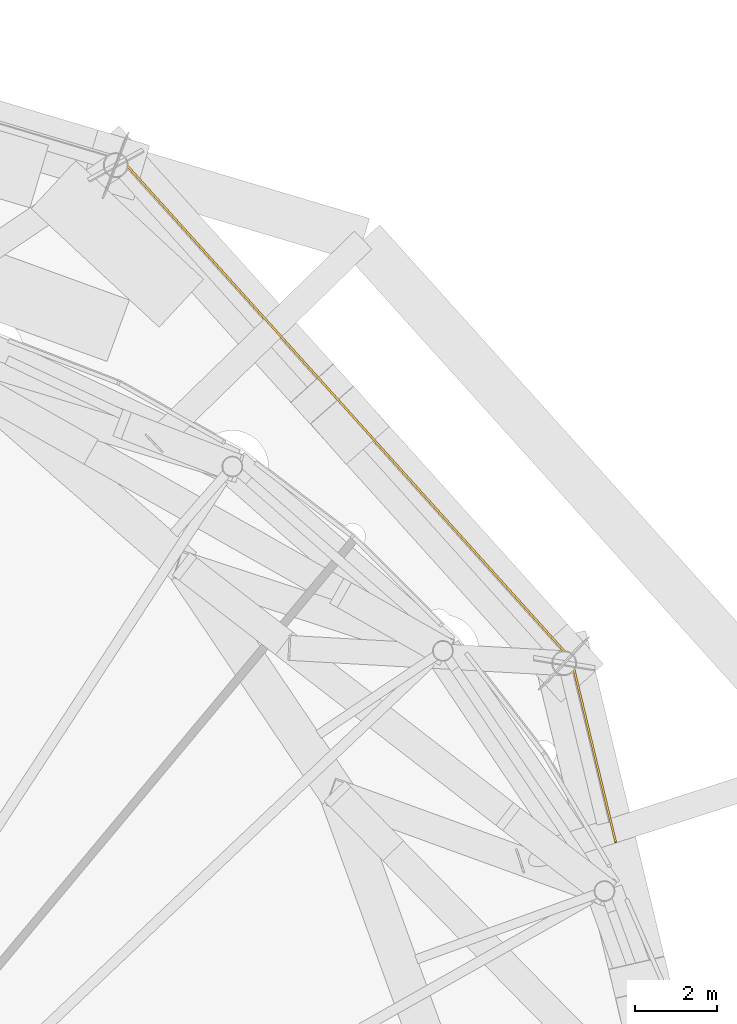
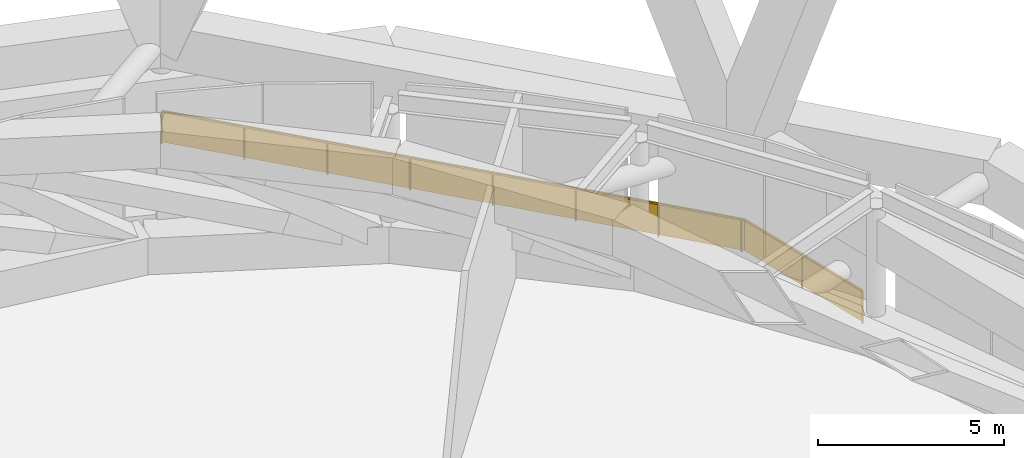
# One storey, part 59 of 60: 1 railing.
"""IFC4 building model written with IfcOpenShell, lengths in metres."""

import ifcopenshell
import ifcopenshell.guid

model = None  # the IFC model being written
_history = None  # IfcOwnerHistory: only IFC2X3 demands one
_inside = {}  # id of a spatial element -> (the spatial element, [elements in it])
_under = {}  # id of a project, library or spatial element -> (it, [spatial elements below it])
_declared = {}  # id of a project -> (the project, [libraries it declares])
_typed = {}  # id of a type object -> (the type object, [elements of that type])
_made_of = {}  # id of a material, layer set ... -> (it, [elements and type objects made of it])


def new_model(schema):
    """Start an empty IFC model of exactly this schema.

    Asked for "IFC4X3", IfcOpenShell would pick the latest addendum, in which some entities
    have other attributes; the version numbers below select the first issue.
    IFC2X3 requires an IfcOwnerHistory on every rooted entity: one is made here for all.
    """
    global model, _history
    if schema == "IFC4X3":
        model = ifcopenshell.file(schema_version=(4, 3, 0, 0))
    else:
        model = ifcopenshell.file(schema=schema)
    _inside.clear()
    _under.clear()
    _declared.clear()
    _typed.clear()
    _made_of.clear()
    _history = None
    if model.schema == "IFC2X3":
        org = make("IfcOrganization", Name="unknown")
        user = make(
            "IfcPersonAndOrganization",
            ThePerson=make("IfcPerson", FamilyName="unknown"),
            TheOrganization=org,
        )
        app = make(
            "IfcApplication",
            ApplicationDeveloper=org,
            Version="unknown",
            ApplicationFullName="unknown",
            ApplicationIdentifier="unknown",
        )
        _history = make(
            "IfcOwnerHistory",
            OwningUser=user,
            OwningApplication=app,
            ChangeAction="ADDED",
            CreationDate=0,
        )
    return model


def make(cls, **values):
    """One entity of the class cls with the attributes given. An attribute that is None is left unset."""
    return model.create_entity(
        cls, **{name: value for name, value in values.items() if value is not None}
    )


def rooted(cls, **values):
    """An entity with a GlobalId (a new one), such as an element, a storey or a relation."""
    return make(cls, GlobalId=ifcopenshell.guid.new(), OwnerHistory=_history, **values)


def si_unit(unit_type, name, prefix=None):
    """IfcSIUnit, for example si_unit("LENGTHUNIT", "METRE", prefix="MILLI")."""
    return make("IfcSIUnit", UnitType=unit_type, Prefix=prefix, Name=name)


def assignment(units):
    """IfcUnitAssignment: the units of a project."""
    return None if units is None else make("IfcUnitAssignment", Units=units)


def point(xyz):
    """IfcCartesianPoint."""
    return None if xyz is None else make("IfcCartesianPoint", Coordinates=xyz)


def direction(xyz):
    """IfcDirection."""
    return None if xyz is None else make("IfcDirection", DirectionRatios=xyz)


def frame(location, z_axis=None, x_axis=None):
    """IfcAxis2Placement3D, a coordinate frame: its origin and axes. An axis left out is left unset."""
    return make(
        "IfcAxis2Placement3D",
        Location=point(location),
        Axis=direction(z_axis),
        RefDirection=direction(x_axis),
    )


def frame_2d(location, x_axis=None):
    """IfcAxis2Placement2D, a coordinate frame in the plane: its origin and x axis."""
    return make(
        "IfcAxis2Placement2D", Location=point(location), RefDirection=direction(x_axis)
    )


def origin():
    """The frame at (0, 0, 0) with its axes left unset."""
    return frame((0.0, 0.0, 0.0))


def origin_2d():
    """The frame at (0, 0) in the plane with its x axis left unset."""
    return frame_2d((0.0, 0.0))


def place(relative_to, where):
    """IfcLocalPlacement: puts the frame where relative to a parent placement (None: the world)."""
    return make(
        "IfcLocalPlacement", PlacementRelTo=relative_to, RelativePlacement=where
    )


def context(
    kind, dimensions, precision=None, world=None, true_north=None, identifier=None
):
    """IfcGeometricRepresentationContext, for example the 3D "Model" context."""
    return make(
        "IfcGeometricRepresentationContext",
        ContextIdentifier=identifier,
        ContextType=kind,
        CoordinateSpaceDimension=dimensions,
        Precision=precision,
        WorldCoordinateSystem=world,
        TrueNorth=true_north,
    )


def subcontext(parent, identifier, kind, view, scale=None):
    """IfcGeometricRepresentationSubContext, for example "Body" below "Model"."""
    return make(
        "IfcGeometricRepresentationSubContext",
        ContextIdentifier=identifier,
        ContextType=kind,
        ParentContext=parent,
        TargetScale=scale,
        TargetView=view,
    )


def project(units=None, contexts=None):
    """IfcProject with its units and contexts."""
    return rooted(
        "IfcProject",
        Name="project",
        RepresentationContexts=contexts,
        UnitsInContext=assignment(units),
    )


def spatial(cls, under=None, at=None, **own):
    """A site, building, storey or space (cls), placed at a placement, below another one or the project."""
    s = rooted(cls, ObjectPlacement=at, **own)
    if under is not None:
        _under.setdefault(under.id(), (under, []))[1].append(s)
    return s


def polyline(points):
    """IfcPolyline through the points."""
    return make("IfcPolyline", Points=[point(p) for p in points])


def profile(cls, at=None, kind="AREA", **sizes):
    """A parametric profile (cls). Its sizes go by their IFC names, for example OverallWidth=200.0."""
    return make(cls, ProfileType=kind, Position=at, **sizes)


def rectangle(**sizes):
    """IfcRectangleProfileDef."""
    return profile("IfcRectangleProfileDef", **sizes)


def outline(outer, holes=None, kind="AREA"):
    """IfcArbitraryClosedProfileDef: a profile drawn as a closed curve; with holes, ...WithVoids."""
    if holes is None:
        return make("IfcArbitraryClosedProfileDef", ProfileType=kind, OuterCurve=outer)
    return make(
        "IfcArbitraryProfileDefWithVoids",
        ProfileType=kind,
        OuterCurve=outer,
        InnerCurves=holes,
    )


def extrude(swept, where, along, depth):
    """IfcExtrudedAreaSolid: the profile swept, set in the frame where, extruded along a direction by depth."""
    return make(
        "IfcExtrudedAreaSolid",
        SweptArea=swept,
        Position=where,
        ExtrudedDirection=direction(along),
        Depth=depth,
    )


def shape(context_of_items, identifier, shape_type, items):
    """IfcShapeRepresentation: the items that make up one representation, for example the "Body"."""
    return make(
        "IfcShapeRepresentation",
        ContextOfItems=context_of_items,
        RepresentationIdentifier=identifier,
        RepresentationType=shape_type,
        Items=items,
    )


def material(Name=None, Category=None):
    """IfcMaterial."""
    return make("IfcMaterial", Name=Name, Category=Category)


def made_of(thing, what):
    """Note that an element or type object is made of a material, layer set ...; save() writes the relation."""
    if what is not None:
        _made_of.setdefault(what.id(), (what, []))[1].append(thing)
    return thing


def type_object(cls, material=None, **own):
    """A type object (cls), such as IfcWallType, which elements share."""
    return made_of(rooted(cls, **own), material)


def element(
    cls,
    number,
    at=None,
    inside=None,
    cuts=None,
    type_object=None,
    material=None,
    context=None,
    identifier="Body",
    shape_type=None,
    held_by="IfcProductDefinitionShape",
    body=None,
    shapes=None,
    **own,
):
    """One element of the class cls, such as IfcWall. Its Tag is "e" and its number.

    at: its placement. inside: the storey or other place that contains it. cuts: it is an
    opening in that element (IfcRelVoidsElement). A single representation is given by context,
    identifier, shape_type and body (its items); several are given by shapes. held_by: the class
    of the entity that holds the representations. save() writes the other relations.
    """
    e = rooted(cls, Tag="e%d" % number, ObjectPlacement=at, **own)
    if body is not None:
        shapes = [shape(context, identifier, shape_type, body)]
    if shapes is not None:
        e.Representation = make(held_by, Representations=shapes)
    if inside is not None:
        _inside.setdefault(inside.id(), (inside, []))[1].append(e)
    if cuts is not None:
        rooted(
            "IfcRelVoidsElement", RelatingBuildingElement=cuts, RelatedOpeningElement=e
        )
    if type_object is not None:
        _typed.setdefault(type_object.id(), (type_object, []))[1].append(e)
    return made_of(e, material)


def aggregate(whole, parts):
    """IfcRelAggregates: a whole, such as a stair, and the parts it consists of."""
    return rooted("IfcRelAggregates", RelatingObject=whole, RelatedObjects=parts)


def save(model, path):
    """Write the relations noted so far, then the file.

    IfcRelAggregates (storeys below a building ...), IfcRelContainedInSpatialStructure (elements
    in a storey), IfcRelDefinesByType, IfcRelAssociatesMaterial and IfcRelDeclares: one each for
    every whole, place, type object, material and project.
    """
    for whole, parts in _under.values():
        aggregate(whole, parts)
    for where, things in _inside.values():
        rooted(
            "IfcRelContainedInSpatialStructure",
            RelatedElements=things,
            RelatingStructure=where,
        )
    for kind, things in _typed.values():
        rooted("IfcRelDefinesByType", RelatedObjects=things, RelatingType=kind)
    for what, things in _made_of.values():
        rooted("IfcRelAssociatesMaterial", RelatedObjects=things, RelatingMaterial=what)
    for by, libraries in _declared.values():
        rooted("IfcRelDeclares", RelatingContext=by, RelatedDefinitions=libraries)
    model.write(path)


model = new_model("IFC4")

# Units and contexts
model_context = context("Model", 3, precision=1e-05, world=origin(), true_north=direction((0.0, 1.0)))
body_context = subcontext(model_context, "Body", "Model", "MODEL_VIEW")
ifc_project = project(units=[si_unit("LENGTHUNIT", "METRE"), si_unit("AREAUNIT", "SQUARE_METRE"), si_unit("VOLUMEUNIT", "CUBIC_METRE"), si_unit("PLANEANGLEUNIT", "RADIAN"), si_unit("MASSUNIT", "GRAM", prefix="KILO")], contexts=[model_context])

# Site, building, storey
site_placement = place(None, origin())
site = spatial("IfcSite", under=ifc_project, at=site_placement, CompositionType="ELEMENT")
building_placement = place(site_placement, origin())
building = spatial("IfcBuilding", under=site, at=building_placement, Name="Nagisa Residences", CompositionType="ELEMENT")
storey_placement = place(building_placement, frame((0.0, 0.0, 206.60009765625)))
storey = spatial("IfcBuildingStorey", under=building, at=storey_placement, Name="L52", CompositionType="ELEMENT", Elevation=206.60009765625)

# Railing
ifc_material = material(Name="Stainless steel 316", Category="steel")
railing_type = type_object("IfcRailingType", Name="ROOF GUARD 1100", PredefinedType="GUARDRAIL", material=ifc_material)
railing_placement = place(storey_placement, frame((13.2958984375, 32.123291015625, 0.0)))
element("IfcRailing", 1, at=railing_placement, inside=storey, type_object=railing_type, Name="guard:L52:deck00-1", PredefinedType="GUARDRAIL", context=body_context, shape_type="SweptSolid", body=[
    extrude(outline(polyline([(11.064453125, -12.25244140625), (0.0185546875, 0.016845703125), (-0.0185546875, -0.016845703125), (11.0185546875, -12.2763671875), (12.095703125, -16.74169921875), (12.14453125, -16.72998046875), (11.064453125, -12.25244140625)])), frame((0.0, 0.0, 1.050048828125)), (0.0, 0.0, 1.0), 0.050048828125),
    extrude(outline(polyline([(11.0478515625, -12.260986328125), (0.005126953125, 0.004638671875), (-0.005126953125, -0.004638671875), (11.03515625, -12.267822265625), (12.11328125, -16.737548828125), (12.126953125, -16.734130859375), (11.0478515625, -12.260986328125)])), frame((0.0, 0.0, 0.06005859375)), (0.0, 0.0, 1.0), 0.989990234375),
    extrude(rectangle(XDim=0.0400390625, YDim=0.0400390625, at=origin_2d()), origin(), (0.0, 0.0, 1.0), 1.050048828125),
    extrude(rectangle(XDim=0.0400390625, YDim=0.0400390625, at=origin_2d()), frame((1.56884765625, -1.742431640625, 0.0)), (0.0, 0.0, 1.0), 1.050048828125),
    extrude(rectangle(XDim=0.0400390625, YDim=0.0400390625, at=origin_2d()), frame((3.137451171875, -3.485107421875, 0.0)), (0.0, 0.0, 1.0), 1.050048828125),
    extrude(rectangle(XDim=0.0400390625, YDim=0.0400390625, at=origin_2d()), frame((4.706298828125, -5.2275390625, 0.0)), (0.0, 0.0, 1.0), 1.050048828125),
    extrude(rectangle(XDim=0.0400390625, YDim=0.0400390625, at=origin_2d()), frame((6.275146484375, -6.97021484375, 0.0)), (0.0, 0.0, 1.0), 1.050048828125),
    extrude(rectangle(XDim=0.0400390625, YDim=0.0400390625, at=origin_2d()), frame((7.843994140625, -8.712646484375, 0.0)), (0.0, 0.0, 1.0), 1.050048828125),
    extrude(rectangle(XDim=0.0400390625, YDim=0.0400390625, at=origin_2d()), frame((9.41259765625, -10.455322265625, 0.0)), (0.0, 0.0, 1.0), 1.050048828125),
    extrude(rectangle(XDim=0.0400390625, YDim=0.0400390625, at=origin_2d()), frame((10.9814453125, -12.19775390625, 0.0)), (0.0, 0.0, 1.0), 1.050048828125),
    extrude(rectangle(XDim=0.0400390625, YDim=0.0400390625, at=origin_2d()), frame((11.5703125, -14.45654296875, 0.0)), (0.0, 0.0, 1.0), 1.050048828125),
    extrude(rectangle(XDim=0.0400390625, YDim=0.0400390625, at=origin_2d()), frame((12.1201171875, -16.73583984375, 0.0)), (0.0, 0.0, 1.0), 1.050048828125),
])

save(model, "model.ifc")
